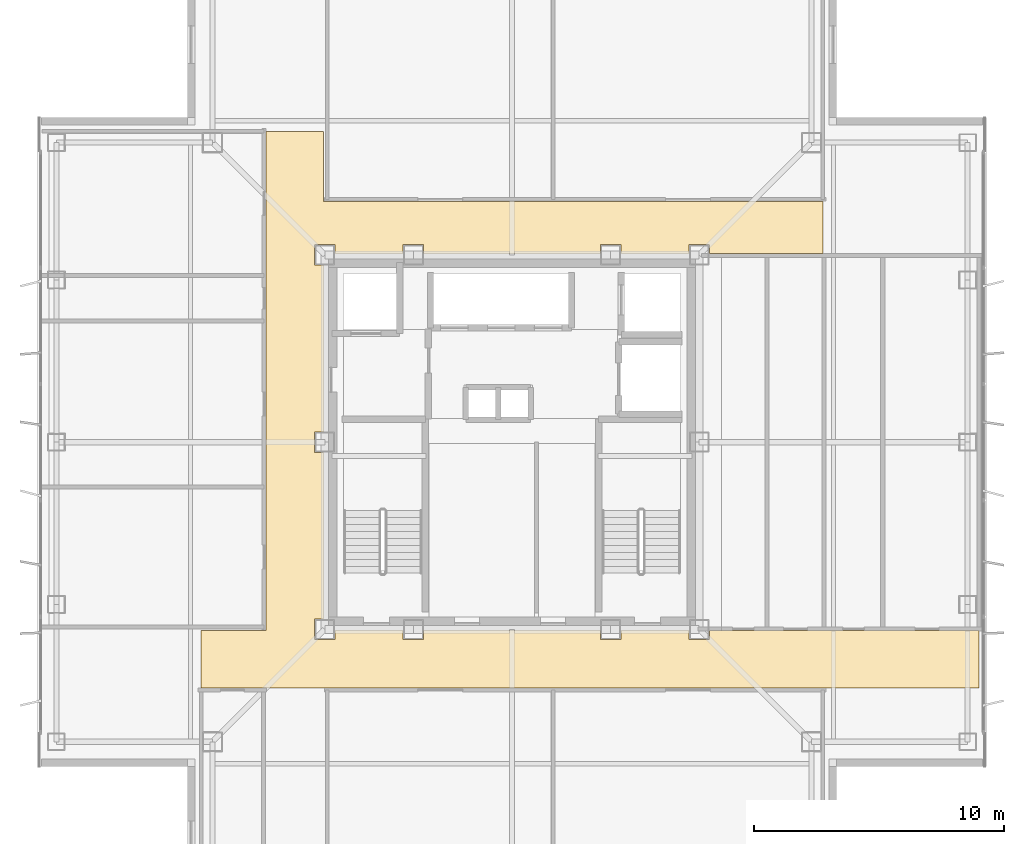
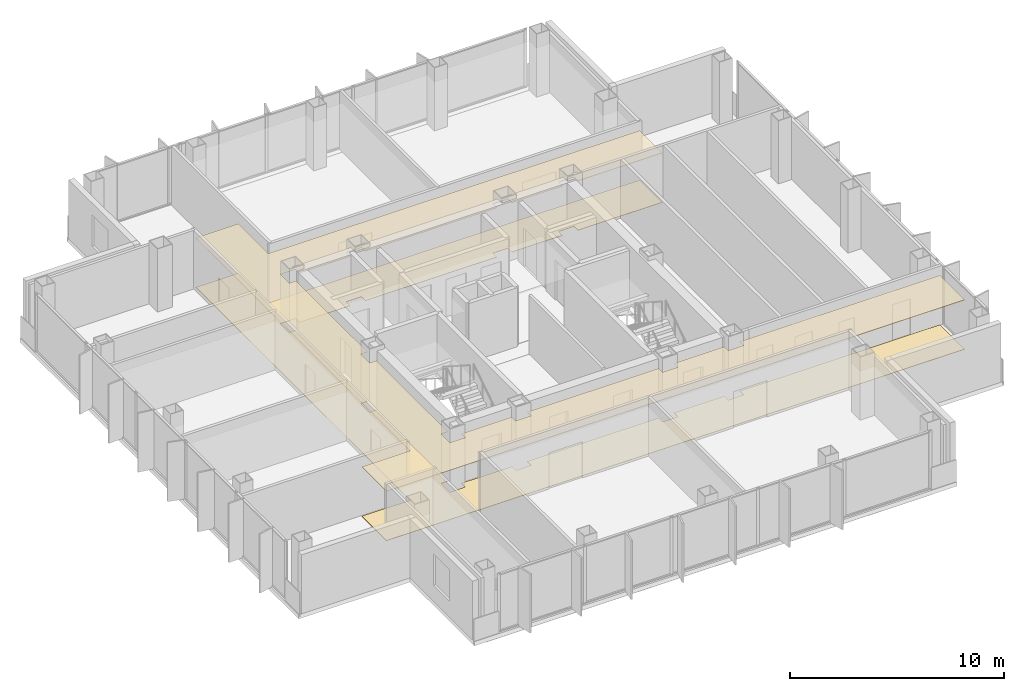
# One storey, part 13 of 15: 2 coverings.
"""IFC4 building model written with IfcOpenShell, lengths in metres."""

import ifcopenshell
import ifcopenshell.guid

model = None  # the IFC model being written
_history = None  # IfcOwnerHistory: only IFC2X3 demands one
_inside = {}  # id of a spatial element -> (the spatial element, [elements in it])
_under = {}  # id of a project, library or spatial element -> (it, [spatial elements below it])
_declared = {}  # id of a project -> (the project, [libraries it declares])
_typed = {}  # id of a type object -> (the type object, [elements of that type])
_made_of = {}  # id of a material, layer set ... -> (it, [elements and type objects made of it])


def new_model(schema):
    """Start an empty IFC model of exactly this schema.

    Asked for "IFC4X3", IfcOpenShell would pick the latest addendum, in which some entities
    have other attributes; the version numbers below select the first issue.
    IFC2X3 requires an IfcOwnerHistory on every rooted entity: one is made here for all.
    """
    global model, _history
    if schema == "IFC4X3":
        model = ifcopenshell.file(schema_version=(4, 3, 0, 0))
    else:
        model = ifcopenshell.file(schema=schema)
    _inside.clear()
    _under.clear()
    _declared.clear()
    _typed.clear()
    _made_of.clear()
    _history = None
    if model.schema == "IFC2X3":
        org = make("IfcOrganization", Name="unknown")
        user = make(
            "IfcPersonAndOrganization",
            ThePerson=make("IfcPerson", FamilyName="unknown"),
            TheOrganization=org,
        )
        app = make(
            "IfcApplication",
            ApplicationDeveloper=org,
            Version="unknown",
            ApplicationFullName="unknown",
            ApplicationIdentifier="unknown",
        )
        _history = make(
            "IfcOwnerHistory",
            OwningUser=user,
            OwningApplication=app,
            ChangeAction="ADDED",
            CreationDate=0,
        )
    return model


def make(cls, **values):
    """One entity of the class cls with the attributes given. An attribute that is None is left unset."""
    return model.create_entity(
        cls, **{name: value for name, value in values.items() if value is not None}
    )


def rooted(cls, **values):
    """An entity with a GlobalId (a new one), such as an element, a storey or a relation."""
    return make(cls, GlobalId=ifcopenshell.guid.new(), OwnerHistory=_history, **values)


def si_unit(unit_type, name, prefix=None):
    """IfcSIUnit, for example si_unit("LENGTHUNIT", "METRE", prefix="MILLI")."""
    return make("IfcSIUnit", UnitType=unit_type, Prefix=prefix, Name=name)


def assignment(units):
    """IfcUnitAssignment: the units of a project."""
    return None if units is None else make("IfcUnitAssignment", Units=units)


def point(xyz):
    """IfcCartesianPoint."""
    return None if xyz is None else make("IfcCartesianPoint", Coordinates=xyz)


def direction(xyz):
    """IfcDirection."""
    return None if xyz is None else make("IfcDirection", DirectionRatios=xyz)


def frame(location, z_axis=None, x_axis=None):
    """IfcAxis2Placement3D, a coordinate frame: its origin and axes. An axis left out is left unset."""
    return make(
        "IfcAxis2Placement3D",
        Location=point(location),
        Axis=direction(z_axis),
        RefDirection=direction(x_axis),
    )


def origin():
    """The frame at (0, 0, 0) with its axes left unset."""
    return frame((0.0, 0.0, 0.0))


def place(relative_to, where):
    """IfcLocalPlacement: puts the frame where relative to a parent placement (None: the world)."""
    return make(
        "IfcLocalPlacement", PlacementRelTo=relative_to, RelativePlacement=where
    )


def context(
    kind, dimensions, precision=None, world=None, true_north=None, identifier=None
):
    """IfcGeometricRepresentationContext, for example the 3D "Model" context."""
    return make(
        "IfcGeometricRepresentationContext",
        ContextIdentifier=identifier,
        ContextType=kind,
        CoordinateSpaceDimension=dimensions,
        Precision=precision,
        WorldCoordinateSystem=world,
        TrueNorth=true_north,
    )


def subcontext(parent, identifier, kind, view, scale=None):
    """IfcGeometricRepresentationSubContext, for example "Body" below "Model"."""
    return make(
        "IfcGeometricRepresentationSubContext",
        ContextIdentifier=identifier,
        ContextType=kind,
        ParentContext=parent,
        TargetScale=scale,
        TargetView=view,
    )


def project(units=None, contexts=None):
    """IfcProject with its units and contexts."""
    return rooted(
        "IfcProject",
        Name="project",
        RepresentationContexts=contexts,
        UnitsInContext=assignment(units),
    )


def spatial(cls, under=None, at=None, **own):
    """A site, building, storey or space (cls), placed at a placement, below another one or the project."""
    s = rooted(cls, ObjectPlacement=at, **own)
    if under is not None:
        _under.setdefault(under.id(), (under, []))[1].append(s)
    return s


def polyline(points):
    """IfcPolyline through the points."""
    return make("IfcPolyline", Points=[point(p) for p in points])


def outline(outer, holes=None, kind="AREA"):
    """IfcArbitraryClosedProfileDef: a profile drawn as a closed curve; with holes, ...WithVoids."""
    if holes is None:
        return make("IfcArbitraryClosedProfileDef", ProfileType=kind, OuterCurve=outer)
    return make(
        "IfcArbitraryProfileDefWithVoids",
        ProfileType=kind,
        OuterCurve=outer,
        InnerCurves=holes,
    )


def extrude(swept, where, along, depth):
    """IfcExtrudedAreaSolid: the profile swept, set in the frame where, extruded along a direction by depth."""
    return make(
        "IfcExtrudedAreaSolid",
        SweptArea=swept,
        Position=where,
        ExtrudedDirection=direction(along),
        Depth=depth,
    )


def shape(context_of_items, identifier, shape_type, items):
    """IfcShapeRepresentation: the items that make up one representation, for example the "Body"."""
    return make(
        "IfcShapeRepresentation",
        ContextOfItems=context_of_items,
        RepresentationIdentifier=identifier,
        RepresentationType=shape_type,
        Items=items,
    )


def material(Name=None, Category=None):
    """IfcMaterial."""
    return make("IfcMaterial", Name=Name, Category=Category)


def layer(
    of_material, thickness, ventilated=None, Name=None, Category=None, Priority=None
):
    """IfcMaterialLayer: one layer of a wall or slab, of a material (None: an air gap)."""
    return make(
        "IfcMaterialLayer",
        Material=of_material,
        LayerThickness=thickness,
        IsVentilated=ventilated,
        Name=Name,
        Category=Category,
        Priority=Priority,
    )


def layer_set(layers, Name=None):
    """IfcMaterialLayerSet."""
    return make("IfcMaterialLayerSet", MaterialLayers=layers, LayerSetName=Name)


def made_of(thing, what):
    """Note that an element or type object is made of a material, layer set ...; save() writes the relation."""
    if what is not None:
        _made_of.setdefault(what.id(), (what, []))[1].append(thing)
    return thing


def type_object(cls, material=None, **own):
    """A type object (cls), such as IfcWallType, which elements share."""
    return made_of(rooted(cls, **own), material)


def element(
    cls,
    number,
    at=None,
    inside=None,
    cuts=None,
    type_object=None,
    material=None,
    context=None,
    identifier="Body",
    shape_type=None,
    held_by="IfcProductDefinitionShape",
    body=None,
    shapes=None,
    **own,
):
    """One element of the class cls, such as IfcWall. Its Tag is "e" and its number.

    at: its placement. inside: the storey or other place that contains it. cuts: it is an
    opening in that element (IfcRelVoidsElement). A single representation is given by context,
    identifier, shape_type and body (its items); several are given by shapes. held_by: the class
    of the entity that holds the representations. save() writes the other relations.
    """
    e = rooted(cls, Tag="e%d" % number, ObjectPlacement=at, **own)
    if body is not None:
        shapes = [shape(context, identifier, shape_type, body)]
    if shapes is not None:
        e.Representation = make(held_by, Representations=shapes)
    if inside is not None:
        _inside.setdefault(inside.id(), (inside, []))[1].append(e)
    if cuts is not None:
        rooted(
            "IfcRelVoidsElement", RelatingBuildingElement=cuts, RelatedOpeningElement=e
        )
    if type_object is not None:
        _typed.setdefault(type_object.id(), (type_object, []))[1].append(e)
    return made_of(e, material)


def aggregate(whole, parts):
    """IfcRelAggregates: a whole, such as a stair, and the parts it consists of."""
    return rooted("IfcRelAggregates", RelatingObject=whole, RelatedObjects=parts)


def save(model, path):
    """Write the relations noted so far, then the file.

    IfcRelAggregates (storeys below a building ...), IfcRelContainedInSpatialStructure (elements
    in a storey), IfcRelDefinesByType, IfcRelAssociatesMaterial and IfcRelDeclares: one each for
    every whole, place, type object, material and project.
    """
    for whole, parts in _under.values():
        aggregate(whole, parts)
    for where, things in _inside.values():
        rooted(
            "IfcRelContainedInSpatialStructure",
            RelatedElements=things,
            RelatingStructure=where,
        )
    for kind, things in _typed.values():
        rooted("IfcRelDefinesByType", RelatedObjects=things, RelatingType=kind)
    for what, things in _made_of.values():
        rooted("IfcRelAssociatesMaterial", RelatedObjects=things, RelatingMaterial=what)
    for by, libraries in _declared.values():
        rooted("IfcRelDeclares", RelatingContext=by, RelatedDefinitions=libraries)
    model.write(path)


model = new_model("IFC4")

# Units and contexts
model_context = context("Model", 3, precision=1e-05, world=origin(), true_north=direction((0.0, 1.0)))
body_context = subcontext(model_context, "Body", "Model", "MODEL_VIEW")
ifc_project = project(units=[si_unit("LENGTHUNIT", "METRE"), si_unit("AREAUNIT", "SQUARE_METRE"), si_unit("VOLUMEUNIT", "CUBIC_METRE"), si_unit("PLANEANGLEUNIT", "RADIAN"), si_unit("MASSUNIT", "GRAM", prefix="KILO")], contexts=[model_context])

# Site, building, storey
site_placement = place(None, origin())
site = spatial("IfcSite", under=ifc_project, at=site_placement, CompositionType="ELEMENT")
building_placement = place(site_placement, origin())
building = spatial("IfcBuilding", under=site, at=building_placement, Name="Trevonay Congress Spire", CompositionType="ELEMENT")
storey_placement = place(building_placement, frame((0.0, 0.0, 282.800048828125)))
storey = spatial("IfcBuildingStorey", under=building, at=storey_placement, Name="L74", CompositionType="ELEMENT", Elevation=282.800048828125)

# Coverings
ifc_material_1 = material(Name="Acoustic Mineral Fibre Board", Category="gypsum")
ifc_layer_1 = layer(ifc_material_1, 0.02490234375, Name="Acoustic Mineral Fibre Board")
ifc_layer_set_1 = layer_set([ifc_layer_1], Name="Acoustic Mineral Fibre Board")
covering_type_1 = type_object("IfcCoveringType", Name="COV-CEIL-ACOUSTIC", PredefinedType="CEILING", material=ifc_layer_set_1)
covering_1_placement = place(storey_placement, frame((0.0, 0.0, 2.81005859375)))
element("IfcCovering", 1, at=covering_1_placement, inside=storey, type_object=covering_type_1, Name="L74 Cruciform Boulevard Corridor acoustic suspended ceiling", PredefinedType="CEILING", context=body_context, shape_type="SweptSolid", body=[
    extrude(outline(polyline([(18.699951171875, -7.550048828125), (18.699951171875, -9.85009765625), (-12.449951171875, -9.85009765625), (-12.449951171875, -7.550048828125), (-9.85009765625, -7.550048828125), (-9.85009765625, 12.449951171875), (-7.550048828125, 12.449951171875), (-7.550048828125, 9.64990234375), (12.449951171875, 9.64990234375), (12.449951171875, 7.550048828125), (7.909912109375, 7.550048828125), (7.909912109375, 7.909912109375), (7.090087890625, 7.909912109375), (7.090087890625, 7.550048828125), (4.360107421875, 7.550048828125), (4.360107421875, 7.909912109375), (3.5400390625, 7.909912109375), (3.5400390625, 7.550048828125), (-3.5400390625, 7.550048828125), (-3.5400390625, 7.909912109375), (-4.360107421875, 7.909912109375), (-4.360107421875, 7.550048828125), (-7.090087890625, 7.550048828125), (-7.090087890625, 7.909912109375), (-7.909912109375, 7.909912109375), (-7.909912109375, 7.090087890625), (-7.550048828125, 7.090087890625), (-7.550048828125, 0.409912109375), (-7.909912109375, 0.409912109375), (-7.909912109375, -0.409912109375), (-7.550048828125, -0.409912109375), (-7.550048828125, -7.090087890625), (-7.909912109375, -7.090087890625), (-7.909912109375, -7.909912109375), (-7.090087890625, -7.909912109375), (-7.090087890625, -7.550048828125), (-4.360107421875, -7.550048828125), (-4.360107421875, -7.909912109375), (-3.5400390625, -7.909912109375), (-3.5400390625, -7.550048828125), (3.5400390625, -7.550048828125), (3.5400390625, -7.909912109375), (4.360107421875, -7.909912109375), (4.360107421875, -7.550048828125), (7.090087890625, -7.550048828125), (7.090087890625, -7.909912109375), (7.909912109375, -7.909912109375), (7.909912109375, -7.550048828125), (18.699951171875, -7.550048828125)])), origin(), (0.0, 0.0, 1.0), 0.02490234375),
])
ifc_material_2 = material(Name="Polished Granite Floor Tile", Category="masonry")
ifc_layer_2 = layer(ifc_material_2, 0.02001953125, Name="Polished Granite Floor Tile")
ifc_layer_set_2 = layer_set([ifc_layer_2], Name="Polished Granite Floor Tile")
covering_type_2 = type_object("IfcCoveringType", Name="COV-FLOOR-STONE", PredefinedType="FLOORING", material=ifc_layer_set_2)
covering_2_placement = place(storey_placement, origin())
element("IfcCovering", 2, at=covering_2_placement, inside=storey, type_object=covering_type_2, Name="L74 Cruciform Boulevard Corridor floor finish", PredefinedType="FLOORING", context=body_context, shape_type="SweptSolid", body=[
    extrude(outline(polyline([(18.699951171875, -7.550048828125), (18.699951171875, -9.85009765625), (-12.449951171875, -9.85009765625), (-12.449951171875, -7.550048828125), (-9.85009765625, -7.550048828125), (-9.85009765625, 12.449951171875), (-7.550048828125, 12.449951171875), (-7.550048828125, 9.64990234375), (12.449951171875, 9.64990234375), (12.449951171875, 7.550048828125), (7.909912109375, 7.550048828125), (7.909912109375, 7.909912109375), (7.090087890625, 7.909912109375), (7.090087890625, 7.550048828125), (4.360107421875, 7.550048828125), (4.360107421875, 7.909912109375), (3.5400390625, 7.909912109375), (3.5400390625, 7.550048828125), (-3.5400390625, 7.550048828125), (-3.5400390625, 7.909912109375), (-4.360107421875, 7.909912109375), (-4.360107421875, 7.550048828125), (-7.090087890625, 7.550048828125), (-7.090087890625, 7.909912109375), (-7.909912109375, 7.909912109375), (-7.909912109375, 7.090087890625), (-7.550048828125, 7.090087890625), (-7.550048828125, 0.409912109375), (-7.909912109375, 0.409912109375), (-7.909912109375, -0.409912109375), (-7.550048828125, -0.409912109375), (-7.550048828125, -7.090087890625), (-7.909912109375, -7.090087890625), (-7.909912109375, -7.909912109375), (-7.090087890625, -7.909912109375), (-7.090087890625, -7.550048828125), (-4.360107421875, -7.550048828125), (-4.360107421875, -7.909912109375), (-3.5400390625, -7.909912109375), (-3.5400390625, -7.550048828125), (3.5400390625, -7.550048828125), (3.5400390625, -7.909912109375), (4.360107421875, -7.909912109375), (4.360107421875, -7.550048828125), (7.090087890625, -7.550048828125), (7.090087890625, -7.909912109375), (7.909912109375, -7.909912109375), (7.909912109375, -7.550048828125), (18.699951171875, -7.550048828125)])), origin(), (0.0, 0.0, 1.0), 0.02001953125),
])

save(model, "model.ifc")
